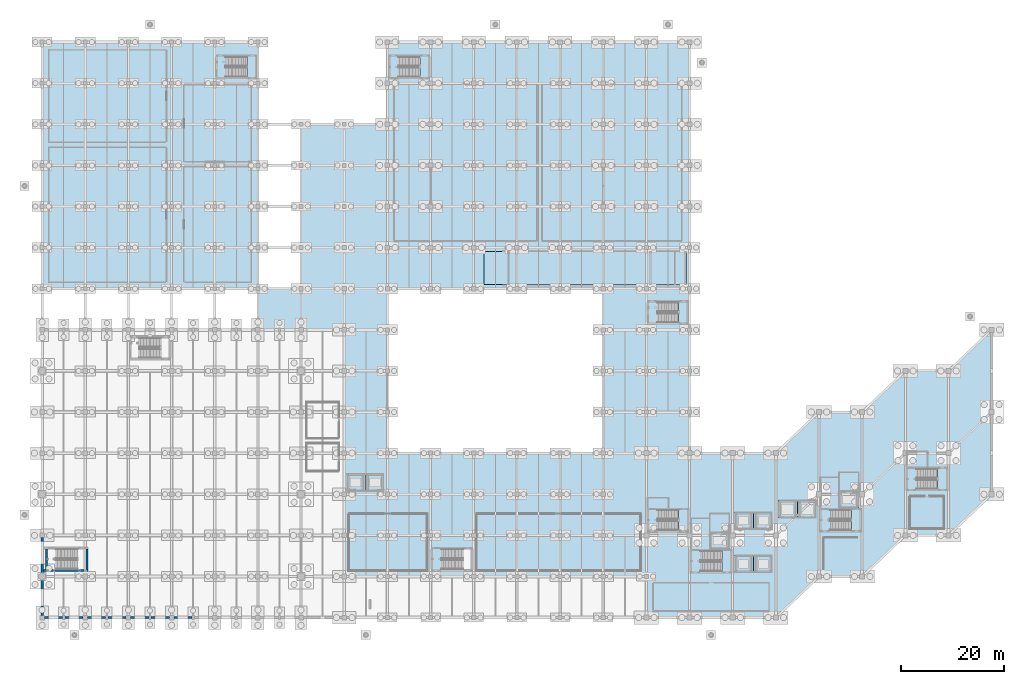
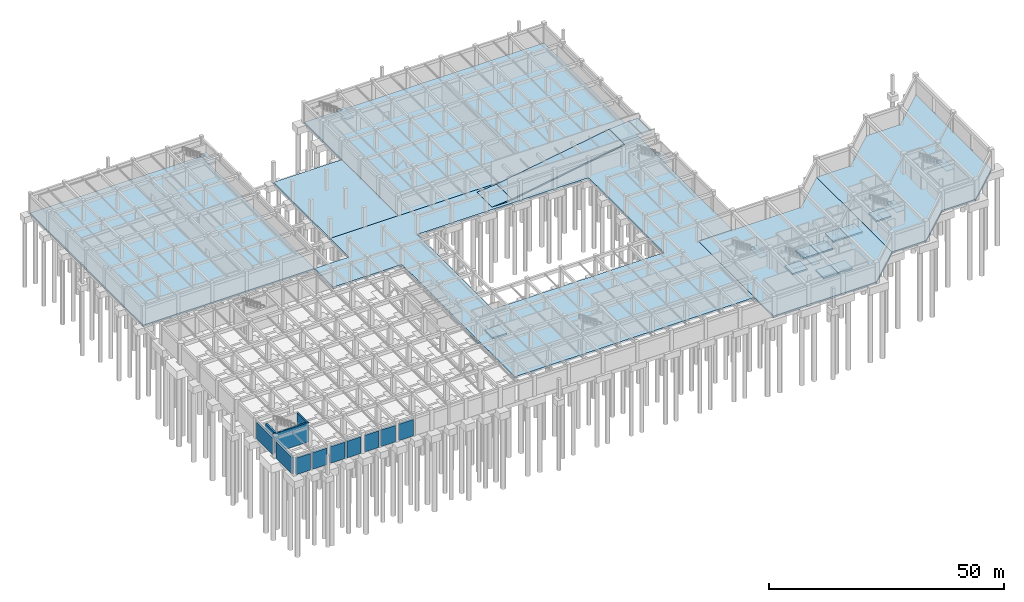
# One storey, part 35 of 56: 27 slabs, 12 walls, 7 elements without a shape of their own.
"""IFC4 building model written with IfcOpenShell, lengths in metres."""

import ifcopenshell
import ifcopenshell.guid

model = None  # the IFC model being written
_history = None  # IfcOwnerHistory: only IFC2X3 demands one
_inside = {}  # id of a spatial element -> (the spatial element, [elements in it])
_under = {}  # id of a project, library or spatial element -> (it, [spatial elements below it])
_declared = {}  # id of a project -> (the project, [libraries it declares])
_typed = {}  # id of a type object -> (the type object, [elements of that type])
_made_of = {}  # id of a material, layer set ... -> (it, [elements and type objects made of it])


def new_model(schema):
    """Start an empty IFC model of exactly this schema.

    Asked for "IFC4X3", IfcOpenShell would pick the latest addendum, in which some entities
    have other attributes; the version numbers below select the first issue.
    IFC2X3 requires an IfcOwnerHistory on every rooted entity: one is made here for all.
    """
    global model, _history
    if schema == "IFC4X3":
        model = ifcopenshell.file(schema_version=(4, 3, 0, 0))
    else:
        model = ifcopenshell.file(schema=schema)
    _inside.clear()
    _under.clear()
    _declared.clear()
    _typed.clear()
    _made_of.clear()
    _history = None
    if model.schema == "IFC2X3":
        org = make("IfcOrganization", Name="unknown")
        user = make(
            "IfcPersonAndOrganization",
            ThePerson=make("IfcPerson", FamilyName="unknown"),
            TheOrganization=org,
        )
        app = make(
            "IfcApplication",
            ApplicationDeveloper=org,
            Version="unknown",
            ApplicationFullName="unknown",
            ApplicationIdentifier="unknown",
        )
        _history = make(
            "IfcOwnerHistory",
            OwningUser=user,
            OwningApplication=app,
            ChangeAction="ADDED",
            CreationDate=0,
        )
    return model


def make(cls, **values):
    """One entity of the class cls with the attributes given. An attribute that is None is left unset."""
    return model.create_entity(
        cls, **{name: value for name, value in values.items() if value is not None}
    )


def rooted(cls, **values):
    """An entity with a GlobalId (a new one), such as an element, a storey or a relation."""
    return make(cls, GlobalId=ifcopenshell.guid.new(), OwnerHistory=_history, **values)


def si_unit(unit_type, name, prefix=None):
    """IfcSIUnit, for example si_unit("LENGTHUNIT", "METRE", prefix="MILLI")."""
    return make("IfcSIUnit", UnitType=unit_type, Prefix=prefix, Name=name)


def assignment(units):
    """IfcUnitAssignment: the units of a project."""
    return None if units is None else make("IfcUnitAssignment", Units=units)


def point(xyz):
    """IfcCartesianPoint."""
    return None if xyz is None else make("IfcCartesianPoint", Coordinates=xyz)


def direction(xyz):
    """IfcDirection."""
    return None if xyz is None else make("IfcDirection", DirectionRatios=xyz)


def frame(location, z_axis=None, x_axis=None):
    """IfcAxis2Placement3D, a coordinate frame: its origin and axes. An axis left out is left unset."""
    return make(
        "IfcAxis2Placement3D",
        Location=point(location),
        Axis=direction(z_axis),
        RefDirection=direction(x_axis),
    )


def frame_2d(location, x_axis=None):
    """IfcAxis2Placement2D, a coordinate frame in the plane: its origin and x axis."""
    return make(
        "IfcAxis2Placement2D", Location=point(location), RefDirection=direction(x_axis)
    )


def origin():
    """The frame at (0, 0, 0) with its axes left unset."""
    return frame((0.0, 0.0, 0.0))


def place(relative_to, where):
    """IfcLocalPlacement: puts the frame where relative to a parent placement (None: the world)."""
    return make(
        "IfcLocalPlacement", PlacementRelTo=relative_to, RelativePlacement=where
    )


def context(
    kind, dimensions, precision=None, world=None, true_north=None, identifier=None
):
    """IfcGeometricRepresentationContext, for example the 3D "Model" context."""
    return make(
        "IfcGeometricRepresentationContext",
        ContextIdentifier=identifier,
        ContextType=kind,
        CoordinateSpaceDimension=dimensions,
        Precision=precision,
        WorldCoordinateSystem=world,
        TrueNorth=true_north,
    )


def subcontext(parent, identifier, kind, view, scale=None):
    """IfcGeometricRepresentationSubContext, for example "Body" below "Model"."""
    return make(
        "IfcGeometricRepresentationSubContext",
        ContextIdentifier=identifier,
        ContextType=kind,
        ParentContext=parent,
        TargetScale=scale,
        TargetView=view,
    )


def project(units=None, contexts=None):
    """IfcProject with its units and contexts."""
    return rooted(
        "IfcProject",
        Name="project",
        RepresentationContexts=contexts,
        UnitsInContext=assignment(units),
    )


def spatial(cls, under=None, at=None, **own):
    """A site, building, storey or space (cls), placed at a placement, below another one or the project."""
    s = rooted(cls, ObjectPlacement=at, **own)
    if under is not None:
        _under.setdefault(under.id(), (under, []))[1].append(s)
    return s


def polyline(points):
    """IfcPolyline through the points."""
    return make("IfcPolyline", Points=[point(p) for p in points])


def profile(cls, at=None, kind="AREA", **sizes):
    """A parametric profile (cls). Its sizes go by their IFC names, for example OverallWidth=200.0."""
    return make(cls, ProfileType=kind, Position=at, **sizes)


def rectangle(**sizes):
    """IfcRectangleProfileDef."""
    return profile("IfcRectangleProfileDef", **sizes)


def outline(outer, holes=None, kind="AREA"):
    """IfcArbitraryClosedProfileDef: a profile drawn as a closed curve; with holes, ...WithVoids."""
    if holes is None:
        return make("IfcArbitraryClosedProfileDef", ProfileType=kind, OuterCurve=outer)
    return make(
        "IfcArbitraryProfileDefWithVoids",
        ProfileType=kind,
        OuterCurve=outer,
        InnerCurves=holes,
    )


def extrude(swept, where, along, depth):
    """IfcExtrudedAreaSolid: the profile swept, set in the frame where, extruded along a direction by depth."""
    return make(
        "IfcExtrudedAreaSolid",
        SweptArea=swept,
        Position=where,
        ExtrudedDirection=direction(along),
        Depth=depth,
    )


def shape(context_of_items, identifier, shape_type, items):
    """IfcShapeRepresentation: the items that make up one representation, for example the "Body"."""
    return make(
        "IfcShapeRepresentation",
        ContextOfItems=context_of_items,
        RepresentationIdentifier=identifier,
        RepresentationType=shape_type,
        Items=items,
    )


def material(Name=None, Category=None):
    """IfcMaterial."""
    return make("IfcMaterial", Name=Name, Category=Category)


def layer(
    of_material, thickness, ventilated=None, Name=None, Category=None, Priority=None
):
    """IfcMaterialLayer: one layer of a wall or slab, of a material (None: an air gap)."""
    return make(
        "IfcMaterialLayer",
        Material=of_material,
        LayerThickness=thickness,
        IsVentilated=ventilated,
        Name=Name,
        Category=Category,
        Priority=Priority,
    )


def layer_set(layers, Name=None):
    """IfcMaterialLayerSet."""
    return make("IfcMaterialLayerSet", MaterialLayers=layers, LayerSetName=Name)


def made_of(thing, what):
    """Note that an element or type object is made of a material, layer set ...; save() writes the relation."""
    if what is not None:
        _made_of.setdefault(what.id(), (what, []))[1].append(thing)
    return thing


def type_object(cls, material=None, **own):
    """A type object (cls), such as IfcWallType, which elements share."""
    return made_of(rooted(cls, **own), material)


def element(
    cls,
    number,
    at=None,
    inside=None,
    cuts=None,
    type_object=None,
    material=None,
    context=None,
    identifier="Body",
    shape_type=None,
    held_by="IfcProductDefinitionShape",
    body=None,
    shapes=None,
    **own,
):
    """One element of the class cls, such as IfcWall. Its Tag is "e" and its number.

    at: its placement. inside: the storey or other place that contains it. cuts: it is an
    opening in that element (IfcRelVoidsElement). A single representation is given by context,
    identifier, shape_type and body (its items); several are given by shapes. held_by: the class
    of the entity that holds the representations. save() writes the other relations.
    """
    e = rooted(cls, Tag="e%d" % number, ObjectPlacement=at, **own)
    if body is not None:
        shapes = [shape(context, identifier, shape_type, body)]
    if shapes is not None:
        e.Representation = make(held_by, Representations=shapes)
    if inside is not None:
        _inside.setdefault(inside.id(), (inside, []))[1].append(e)
    if cuts is not None:
        rooted(
            "IfcRelVoidsElement", RelatingBuildingElement=cuts, RelatedOpeningElement=e
        )
    if type_object is not None:
        _typed.setdefault(type_object.id(), (type_object, []))[1].append(e)
    return made_of(e, material)


def aggregate(whole, parts):
    """IfcRelAggregates: a whole, such as a stair, and the parts it consists of."""
    return rooted("IfcRelAggregates", RelatingObject=whole, RelatedObjects=parts)


def save(model, path):
    """Write the relations noted so far, then the file.

    IfcRelAggregates (storeys below a building ...), IfcRelContainedInSpatialStructure (elements
    in a storey), IfcRelDefinesByType, IfcRelAssociatesMaterial and IfcRelDeclares: one each for
    every whole, place, type object, material and project.
    """
    for whole, parts in _under.values():
        aggregate(whole, parts)
    for where, things in _inside.values():
        rooted(
            "IfcRelContainedInSpatialStructure",
            RelatedElements=things,
            RelatingStructure=where,
        )
    for kind, things in _typed.values():
        rooted("IfcRelDefinesByType", RelatedObjects=things, RelatingType=kind)
    for what, things in _made_of.values():
        rooted("IfcRelAssociatesMaterial", RelatedObjects=things, RelatingMaterial=what)
    for by, libraries in _declared.values():
        rooted("IfcRelDeclares", RelatingContext=by, RelatedDefinitions=libraries)
    model.write(path)


model = new_model("IFC4")

# Units and contexts
model_context = context("Model", 3, precision=1e-05, world=origin(), true_north=direction((0.0, 1.0)))
body_context = subcontext(model_context, "Body", "Model", "MODEL_VIEW")
ifc_project = project(units=[si_unit("LENGTHUNIT", "METRE"), si_unit("AREAUNIT", "SQUARE_METRE"), si_unit("VOLUMEUNIT", "CUBIC_METRE"), si_unit("PLANEANGLEUNIT", "RADIAN"), si_unit("MASSUNIT", "GRAM", prefix="KILO")], contexts=[model_context])

# Site, building, storey
site_placement = place(None, origin())
site = spatial("IfcSite", under=ifc_project, at=site_placement, CompositionType="ELEMENT")
building_placement = place(site_placement, origin())
building = spatial("IfcBuilding", under=site, at=building_placement, Name="Naruveol Harbour Congress Hotel", CompositionType="ELEMENT")
storey_placement = place(building_placement, frame((0.0, 0.0, -5.39990234375)))
storey = spatial("IfcBuildingStorey", under=building, at=storey_placement, Name="B01", CompositionType="ELEMENT", Elevation=-5.39990234375)

# Slabs
ifc_material_1 = material(Name="Concrete C40/50", Category="concrete")
ifc_layer_1 = layer(ifc_material_1, 0.5)
ifc_layer_set_1 = layer_set([ifc_layer_1], Name="Concrete C40/50")
slab_type_1 = type_object("IfcSlabType", Name="RC BASEMENT MAT SLAB 500", PredefinedType="BASESLAB", material=ifc_layer_set_1)
slab_1_placement = place(storey_placement, frame((0.0, 0.0, -0.5)))
element("IfcSlab", 1, at=slab_1_placement, inside=storey, type_object=slab_type_1, Name="Basement B01 Spa mat slab", PredefinedType="BASESLAB", context=body_context, shape_type="SweptSolid", body=[
    extrude(outline(polyline([(0.0, 64.0), (42.0, 64.0), (42.0, 112.0), (0.0, 112.0), (0.0, 64.0)])), origin(), (0.0, 0.0, 1.0), 0.5),
])
slab_2_placement = place(storey_placement, frame((0.0, 0.0, -0.5)))
element("IfcSlab", 2, at=slab_2_placement, inside=storey, type_object=slab_type_1, Name="Basement B01 Ballroom mat slab", PredefinedType="BASESLAB", context=body_context, shape_type="SweptSolid", body=[
    extrude(outline(polyline([(67.199951171875, 72.0), (126.0, 72.0), (126.0, 112.0), (67.199951171875, 112.0), (67.199951171875, 72.0)])), origin(), (0.0, 0.0, 1.0), 0.5),
])
slab_3_placement = place(storey_placement, frame((0.0, 0.0, -0.5)))
element("IfcSlab", 3, at=slab_3_placement, inside=storey, type_object=slab_type_1, Name="Basement B01 Courtyard wing mat slab", PredefinedType="BASESLAB", context=body_context, shape_type="SweptSolid", body=[
    extrude(outline(polyline([(58.800048828125, 8.0), (117.60009765625, 8.0), (117.60009765625, 32.0), (126.0, 32.0), (126.0, 72.0), (50.39990234375, 72.0), (50.39990234375, 64.0), (42.0, 64.0), (42.0, 56.0), (58.800048828125, 56.0), (58.800048828125, 8.0)]), holes=[polyline([(67.199951171875, 32.0), (109.199951171875, 32.0), (109.199951171875, 64.0), (67.199951171875, 64.0), (67.199951171875, 32.0)])]), origin(), (0.0, 0.0, 1.0), 0.5),
])
slab_4_placement = place(storey_placement, frame((0.0, 0.0, -0.5)))
element("IfcSlab", 4, at=slab_4_placement, inside=storey, type_object=slab_type_1, Name="Basement B01 Hotel west mat slab", PredefinedType="BASESLAB", context=body_context, shape_type="SweptSolid", body=[
    extrude(outline(polyline([(117.60009765625, 0.0), (126.0, 0.0), (134.39990234375, 0.0), (142.800048828125, 0.0), (151.199951171875, 8.0), (151.199951171875, 40.0), (142.800048828125, 32.0), (134.39990234375, 32.0), (126.0, 32.0), (117.60009765625, 32.0), (117.60009765625, 0.0)])), origin(), (0.0, 0.0, 1.0), 0.5),
])
slab_5_placement = place(storey_placement, frame((0.0, 0.0, -0.5)))
element("IfcSlab", 5, at=slab_5_placement, inside=storey, type_object=slab_type_1, Name="Basement B01 Hotel east mat slab", PredefinedType="BASESLAB", context=body_context, shape_type="SweptSolid", body=[
    extrude(outline(polyline([(151.199951171875, 8.0), (159.60009765625, 8.0), (168.0, 16.0), (176.39990234375, 16.0), (184.800048828125, 24.0), (184.800048828125, 56.0), (176.39990234375, 48.0), (168.0, 48.0), (159.60009765625, 40.0), (151.199951171875, 40.0), (151.199951171875, 8.0)])), origin(), (0.0, 0.0, 1.0), 0.5),
])
slab_6_placement = place(storey_placement, frame((0.0, 0.0, -0.5)))
element("IfcSlab", 6, at=slab_6_placement, inside=storey, type_object=slab_type_1, Name="Basement B01 Forecourt mat slab", PredefinedType="BASESLAB", context=body_context, shape_type="SweptSolid", body=[
    extrude(outline(polyline([(50.39990234375, 72.0), (67.199951171875, 72.0), (67.199951171875, 96.0), (50.39990234375, 96.0), (50.39990234375, 72.0)])), origin(), (0.0, 0.0, 1.0), 0.5),
])
ifc_material_2 = material(Name="Concrete C40/50", Category="concrete")
ifc_layer_2 = layer(ifc_material_2, 0.39990234375)
ifc_layer_set_2 = layer_set([ifc_layer_2], Name="Concrete C40/50")
slab_type_2 = type_object("IfcSlabType", Name="RC PROMENADE PLINTH SLAB 400", PredefinedType="BASESLAB", material=ifc_layer_set_2)
slab_7_placement = place(storey_placement, frame((0.0, 0.0, -1.800048828125)))
element("IfcSlab", 7, at=slab_7_placement, inside=storey, type_object=slab_type_2, Name="Lift pit base slab PL1", PredefinedType="BASESLAB", context=body_context, shape_type="SweptSolid", body=[
    extrude(outline(polyline([(134.85009765625, 17.14990234375), (138.449951171875, 17.14990234375), (138.449951171875, 20.550048828125), (134.85009765625, 20.550048828125), (134.85009765625, 17.14990234375)])), origin(), (0.0, 0.0, 1.0), 0.39990234375),
])
slab_8_placement = place(storey_placement, frame((0.0, 0.0, -1.800048828125)))
element("IfcSlab", 8, at=slab_8_placement, inside=storey, type_object=slab_type_2, Name="Lift pit base slab PL2", PredefinedType="BASESLAB", context=body_context, shape_type="SweptSolid", body=[
    extrude(outline(polyline([(138.449951171875, 17.14990234375), (142.050048828125, 17.14990234375), (142.050048828125, 20.550048828125), (138.449951171875, 20.550048828125), (138.449951171875, 17.14990234375)])), origin(), (0.0, 0.0, 1.0), 0.39990234375),
])
slab_9_placement = place(storey_placement, frame((0.0, 0.0, -1.800048828125)))
element("IfcSlab", 9, at=slab_9_placement, inside=storey, type_object=slab_type_2, Name="Lift pit base slab PL3", PredefinedType="BASESLAB", context=body_context, shape_type="SweptSolid", body=[
    extrude(outline(polyline([(134.85009765625, 8.75), (138.449951171875, 8.75), (138.449951171875, 12.14990234375), (134.85009765625, 12.14990234375), (134.85009765625, 8.75)])), origin(), (0.0, 0.0, 1.0), 0.39990234375),
])
slab_10_placement = place(storey_placement, frame((0.0, 0.0, -1.800048828125)))
element("IfcSlab", 10, at=slab_10_placement, inside=storey, type_object=slab_type_2, Name="Lift pit base slab PL4", PredefinedType="BASESLAB", context=body_context, shape_type="SweptSolid", body=[
    extrude(outline(polyline([(138.449951171875, 8.75), (142.050048828125, 8.75), (142.050048828125, 12.14990234375), (138.449951171875, 12.14990234375), (138.449951171875, 8.75)])), origin(), (0.0, 0.0, 1.0), 0.39990234375),
])
slab_11_placement = place(storey_placement, frame((0.0, 0.0, -1.800048828125)))
element("IfcSlab", 11, at=slab_11_placement, inside=storey, type_object=slab_type_2, Name="Lift pit base slab FL1", PredefinedType="BASESLAB", context=body_context, shape_type="SweptSolid", body=[
    extrude(outline(polyline([(129.949951171875, 13.300048828125), (133.64990234375, 13.300048828125), (133.64990234375, 16.699951171875), (129.949951171875, 16.699951171875), (129.949951171875, 13.300048828125)])), origin(), (0.0, 0.0, 1.0), 0.39990234375),
])
slab_12_placement = place(storey_placement, frame((0.0, 0.0, -1.800048828125)))
element("IfcSlab", 12, at=slab_12_placement, inside=storey, type_object=slab_type_2, Name="Lift pit base slab FL2", PredefinedType="BASESLAB", context=body_context, shape_type="SweptSolid", body=[
    extrude(outline(polyline([(155.14990234375, 21.300048828125), (158.85009765625, 21.300048828125), (158.85009765625, 24.699951171875), (155.14990234375, 24.699951171875), (155.14990234375, 21.300048828125)])), origin(), (0.0, 0.0, 1.0), 0.39990234375),
])
slab_13_placement = place(storey_placement, frame((0.0, 0.0, -1.800048828125)))
element("IfcSlab", 13, at=slab_13_placement, inside=storey, type_object=slab_type_2, Name="Lift pit base slab CL1", PredefinedType="BASESLAB", context=body_context, shape_type="SweptSolid", body=[
    extrude(outline(polyline([(59.35009765625, 24.550048828125), (62.89990234375, 24.550048828125), (62.89990234375, 28.050048828125), (59.35009765625, 28.050048828125), (59.35009765625, 24.550048828125)])), origin(), (0.0, 0.0, 1.0), 0.39990234375),
])
slab_14_placement = place(storey_placement, frame((0.0, 0.0, -1.800048828125)))
element("IfcSlab", 14, at=slab_14_placement, inside=storey, type_object=slab_type_2, Name="Lift pit base slab CL2", PredefinedType="BASESLAB", context=body_context, shape_type="SweptSolid", body=[
    extrude(outline(polyline([(62.89990234375, 24.550048828125), (66.449951171875, 24.550048828125), (66.449951171875, 28.050048828125), (62.89990234375, 28.050048828125), (62.89990234375, 24.550048828125)])), origin(), (0.0, 0.0, 1.0), 0.39990234375),
])
slab_15_placement = place(storey_placement, frame((0.0, 0.0, -1.800048828125)))
element("IfcSlab", 15, at=slab_15_placement, inside=storey, type_object=slab_type_2, Name="Lift pit base slab GL1", PredefinedType="BASESLAB", context=body_context, shape_type="SweptSolid", body=[
    extrude(outline(polyline([(143.35009765625, 19.35009765625), (147.0, 19.35009765625), (147.0, 22.85009765625), (143.35009765625, 22.85009765625), (143.35009765625, 19.35009765625)])), origin(), (0.0, 0.0, 1.0), 0.39990234375),
])
slab_16_placement = place(storey_placement, frame((0.0, 0.0, -1.800048828125)))
element("IfcSlab", 16, at=slab_16_placement, inside=storey, type_object=slab_type_2, Name="Lift pit base slab GL2", PredefinedType="BASESLAB", context=body_context, shape_type="SweptSolid", body=[
    extrude(outline(polyline([(147.0, 19.35009765625), (150.64990234375, 19.35009765625), (150.64990234375, 22.85009765625), (147.0, 22.85009765625), (147.0, 19.35009765625)])), origin(), (0.0, 0.0, 1.0), 0.39990234375),
])
ifc_material_3 = material(Name="Concrete C40/50", Category="concrete")
ifc_layer_3 = layer(ifc_material_3, 0.199951171875)
ifc_layer_set_3 = layer_set([ifc_layer_3], Name="Concrete C40/50")
slab_type_3 = type_object("IfcSlabType", Name="RC RAMP LANDING SLAB 200", PredefinedType="LANDING", material=ifc_layer_set_3)
slab_17_placement = place(storey_placement, frame((0.0, 0.0, 5.199951171875)))
element("IfcSlab", 17, at=slab_17_placement, inside=storey, type_object=slab_type_3, Name="Car park vehicle ramp VR-1 grade arrival landing", PredefinedType="LANDING", context=body_context, shape_type="SweptSolid", body=[
    extrude(outline(polyline([(123.199951171875, 64.800048828125), (125.3798828125, 64.800048828125), (125.3798828125, 71.199951171875), (123.199951171875, 71.199951171875), (123.199951171875, 64.800048828125)])), origin(), (0.0, 0.0, 1.0), 0.199951171875),
])

# Stair, slab
ifc_material_4 = material(Name="Concrete C40/50", Category="concrete")
stair_type = type_object("IfcStairType", Name="RC DOG LEG ESCAPE STAIR 1800W H5400", PredefinedType="HALF_TURN_STAIR", material=ifc_material_4)
stair_1_placement = place(storey_placement, origin())
stair_1 = element("IfcStair", 18, at=stair_1_placement, inside=storey, type_object=stair_type, Name="Special Escape Stair ST1 B01 to L00", PredefinedType="HALF_TURN_STAIR")
ifc_material_5 = material(Name="Concrete C40/50", Category="concrete")
ifc_layer_4 = layer(ifc_material_5, 0.179931640625)
ifc_layer_set_4 = layer_set([ifc_layer_4], Name="Concrete C40/50")
slab_type_4 = type_object("IfcSlabType", Name="RC STAIR HALF LANDING SLAB 180", PredefinedType="LANDING", material=ifc_layer_set_4)
slab_18_placement = place(storey_placement, frame((0.0, 0.0, 2.52001953125)))
slab_18 = element("IfcSlab", 19, at=slab_18_placement, type_object=slab_type_4, Name="ST1 B01 half landing", PredefinedType="LANDING", context=body_context, shape_type="SweptSolid", body=[
    extrude(outline(polyline([(132.300048828125, 8.800048828125), (134.10009765625, 8.800048828125), (134.10009765625, 13.159912109375), (132.300048828125, 13.159912109375), (132.300048828125, 8.800048828125)])), origin(), (0.0, 0.0, 1.0), 0.179931640625),
])
aggregate(stair_1, [slab_18])

stair_2_placement = place(storey_placement, origin())
stair_2 = element("IfcStair", 20, at=stair_2_placement, inside=storey, type_object=stair_type, Name="Special Escape Stair ST2 B01 to L00", PredefinedType="HALF_TURN_STAIR")
slab_19_placement = place(storey_placement, frame((0.0, 0.0, 2.52001953125)))
slab_19 = element("IfcSlab", 21, at=slab_19_placement, type_object=slab_type_4, Name="ST2 B01 half landing", PredefinedType="LANDING", context=body_context, shape_type="SweptSolid", body=[
    extrude(outline(polyline([(157.5, 16.800048828125), (159.300048828125, 16.800048828125), (159.300048828125, 21.159912109375), (157.5, 21.159912109375), (157.5, 16.800048828125)])), origin(), (0.0, 0.0, 1.0), 0.179931640625),
])
aggregate(stair_2, [slab_19])

stair_3_placement = place(storey_placement, origin())
stair_3 = element("IfcStair", 22, at=stair_3_placement, inside=storey, type_object=stair_type, Name="Special Escape Stair ST3 B01 to L00", PredefinedType="HALF_TURN_STAIR")
slab_20_placement = place(storey_placement, frame((0.0, 0.0, 2.52001953125)))
slab_20 = element("IfcSlab", 23, at=slab_20_placement, type_object=slab_type_4, Name="ST3 B01 half landing", PredefinedType="LANDING", context=body_context, shape_type="SweptSolid", body=[
    extrude(outline(polyline([(123.89990234375, 16.800048828125), (125.699951171875, 16.800048828125), (125.699951171875, 21.159912109375), (123.89990234375, 21.159912109375), (123.89990234375, 16.800048828125)])), origin(), (0.0, 0.0, 1.0), 0.179931640625),
])
aggregate(stair_3, [slab_20])

stair_4_placement = place(storey_placement, origin())
stair_4 = element("IfcStair", 24, at=stair_4_placement, inside=storey, type_object=stair_type, Name="Special Escape Stair ST4 B01 to L00", PredefinedType="HALF_TURN_STAIR")
slab_21_placement = place(storey_placement, frame((0.0, 0.0, 2.52001953125)))
slab_21 = element("IfcSlab", 25, at=slab_21_placement, type_object=slab_type_4, Name="ST4 B01 half landing", PredefinedType="LANDING", context=body_context, shape_type="SweptSolid", body=[
    extrude(outline(polyline([(174.300048828125, 24.800048828125), (176.10009765625, 24.800048828125), (176.10009765625, 29.159912109375), (174.300048828125, 29.159912109375), (174.300048828125, 24.800048828125)])), origin(), (0.0, 0.0, 1.0), 0.179931640625),
])
aggregate(stair_4, [slab_21])

stair_5_placement = place(storey_placement, origin())
stair_5 = element("IfcStair", 26, at=stair_5_placement, inside=storey, type_object=stair_type, Name="Thermal Spa Exit Stair ST7 B01 to L00", PredefinedType="HALF_TURN_STAIR")
slab_22_placement = place(storey_placement, frame((0.0, 0.0, 2.52001953125)))
slab_22 = element("IfcSlab", 27, at=slab_22_placement, type_object=slab_type_4, Name="ST7 B01 half landing", PredefinedType="LANDING", context=body_context, shape_type="SweptSolid", body=[
    extrude(outline(polyline([(39.89990234375, 105.0), (41.699951171875, 105.0), (41.699951171875, 109.360107421875), (39.89990234375, 109.360107421875), (39.89990234375, 105.0)])), origin(), (0.0, 0.0, 1.0), 0.179931640625),
])
aggregate(stair_5, [slab_22])

stair_6_placement = place(storey_placement, origin())
stair_6 = element("IfcStair", 28, at=stair_6_placement, inside=storey, type_object=stair_type, Name="Ballroom West Exit Stair ST8 B01 to L00", PredefinedType="HALF_TURN_STAIR")
slab_23_placement = place(storey_placement, frame((0.0, 0.0, 2.52001953125)))
slab_23 = element("IfcSlab", 29, at=slab_23_placement, type_object=slab_type_4, Name="ST8 B01 half landing", PredefinedType="LANDING", context=body_context, shape_type="SweptSolid", body=[
    extrude(outline(polyline([(73.5, 105.0), (75.300048828125, 105.0), (75.300048828125, 109.360107421875), (73.5, 109.360107421875), (73.5, 105.0)])), origin(), (0.0, 0.0, 1.0), 0.179931640625),
])
aggregate(stair_6, [slab_23])

stair_7_placement = place(storey_placement, origin())
stair_7 = element("IfcStair", 30, at=stair_7_placement, inside=storey, type_object=stair_type, Name="Courtyard North-East Exit Stair ST9 B01 to L00", PredefinedType="HALF_TURN_STAIR")
slab_24_placement = place(storey_placement, frame((0.0, 0.0, 2.52001953125)))
slab_24 = element("IfcSlab", 31, at=slab_24_placement, type_object=slab_type_4, Name="ST9 B01 half landing", PredefinedType="LANDING", context=body_context, shape_type="SweptSolid", body=[
    extrude(outline(polyline([(123.89990234375, 57.199951171875), (125.699951171875, 57.199951171875), (125.699951171875, 61.56005859375), (123.89990234375, 61.56005859375), (123.89990234375, 57.199951171875)])), origin(), (0.0, 0.0, 1.0), 0.179931640625),
])
aggregate(stair_7, [slab_24])

# Slabs
ifc_material_6 = material(Name="Concrete C40/50", Category="concrete")
ifc_layer_5 = layer(ifc_material_6, 0.300048828125)
ifc_layer_set_5 = layer_set([ifc_layer_5], Name="Concrete C40/50")
slab_type_5 = type_object("IfcSlabType", Name="RC VEHICLE RAMP SLAB 300", PredefinedType="USERDEFINED", material=ifc_layer_set_5)
slab_25_placement = place(storey_placement, frame((86.0, 64.800048828125, 0.0), z_axis=(-0.083024506106, 0.0, 0.996547505835), x_axis=(0.996547505835, 0.0, 0.083024506106)))
element("IfcSlab", 32, at=slab_25_placement, inside=storey, type_object=slab_type_5, Name="Car park vehicle ramp VR-1 bottom transition", ObjectType="VEHICLE RAMP SLAB", PredefinedType="USERDEFINED", context=body_context, shape_type="SweptSolid", body=[
    extrude(outline(polyline([(0.0, 0.0), (4.816678382134407, 0.0), (4.816678382134407, 6.39990234375), (0.0, 6.39990234375), (0.0, 0.0)])), origin(), (0.0, 0.0, -1.0), 0.300048828125),
])
slab_26_placement = place(storey_placement, frame((90.800048828125, 64.800048828125, 0.39990234375), z_axis=(-0.164403232074, 0.0, 0.986393216361), x_axis=(0.986393216361, 0.0, 0.164403232074)))
element("IfcSlab", 33, at=slab_26_placement, inside=storey, type_object=slab_type_5, Name="Car park vehicle ramp VR-1 main flight", ObjectType="VEHICLE RAMP SLAB", PredefinedType="USERDEFINED", context=body_context, shape_type="SweptSolid", body=[
    extrude(outline(polyline([(0.0, 0.0), (27.980579202922062, 0.0), (27.980579202922062, 6.39990234375), (0.0, 6.39990234375), (0.0, 0.0)])), origin(), (0.0, 0.0, -1.0), 0.300048828125),
])
slab_27_placement = place(storey_placement, frame((118.39990234375, 64.800048828125, 5.0), z_axis=(-0.083024506106, 0.0, 0.996547505835), x_axis=(0.996547505835, 0.0, 0.083024506106)))
element("IfcSlab", 34, at=slab_27_placement, inside=storey, type_object=slab_type_5, Name="Car park vehicle ramp VR-1 top transition", ObjectType="VEHICLE RAMP SLAB", PredefinedType="USERDEFINED", context=body_context, shape_type="SweptSolid", body=[
    extrude(outline(polyline([(0.0, 0.0), (4.816678382134407, 0.0), (4.816678382134407, 6.39990234375), (0.0, 6.39990234375), (0.0, 0.0)])), origin(), (0.0, 0.0, -1.0), 0.300048828125),
])

# Walls
ifc_material_7 = material(Name="Concrete C40/50", Category="concrete")
ifc_layer_6 = layer(ifc_material_7, 0.449951171875)
ifc_layer_set_6 = layer_set([ifc_layer_6], Name="Concrete C40/50")
wall_type_1 = type_object("IfcWallType", Name="RC BASEMENT RETAINING WALL 450", PredefinedType="USERDEFINED", material=ifc_layer_set_6)
wall_1_placement = place(storey_placement, frame((29.175048828125, 0.0, 0.0), z_axis=(0.0, 0.0, 1.0), x_axis=(-1.0, 0.0, 0.0)))
element("IfcWall", 35, at=wall_1_placement, inside=storey, type_object=wall_type_1, Name="Basement south retaining wall RW-450", ObjectType="RETAININGWALL", PredefinedType="USERDEFINED", context=body_context, shape_type="SweptSolid", body=[
    extrude(rectangle(XDim=3.525146484375, YDim=0.449951171875, at=frame_2d((1.7626953125, 0.0))), origin(), (0.0, 0.0, 1.0), 4.2998046875),
])
for number, where, z_axis, x_axis, name in (
    (36, (24.75, 0.0, 0.0), (0.0, 0.0, 1.0), (-1.0, 0.0, 0.0), "Basement south retaining wall RW-450"),
    (37, (20.77490234375, 0.0, 0.0), (0.0, 0.0, 1.0), (-1.0, 0.0, 0.0), "Basement south retaining wall RW-450"),
):
    element("IfcWall", number, at=place(storey_placement, frame(where, z_axis=z_axis, x_axis=x_axis)), inside=storey, type_object=wall_type_1, Name=name, ObjectType="RETAININGWALL", PredefinedType="USERDEFINED", context=body_context, shape_type="SweptSolid", body=[
        extrude(rectangle(XDim=3.52490234375, YDim=0.449951171875, at=frame_2d((1.762451171875, 0.0))), origin(), (0.0, 0.0, 1.0), 4.2998046875),
    ])
wall_2_placement = place(storey_placement, frame((16.35009765625, 0.0, 0.0), z_axis=(0.0, 0.0, 1.0), x_axis=(-1.0, 0.0, 0.0)))
element("IfcWall", 38, at=wall_2_placement, inside=storey, type_object=wall_type_1, Name="Basement south retaining wall RW-450", ObjectType="RETAININGWALL", PredefinedType="USERDEFINED", context=body_context, shape_type="SweptSolid", body=[
    extrude(rectangle(XDim=3.525146484375, YDim=0.449951171875, at=frame_2d((1.7626953125, 0.0))), origin(), (0.0, 0.0, 1.0), 4.2998046875),
])
for number, where, z_axis, x_axis, name in (
    (39, (12.375, 0.0, 0.0), (0.0, 0.0, 1.0), (-1.0, 0.0, 0.0), "Basement south retaining wall RW-450"),
    (40, (7.949951171875, 0.0, 0.0), (0.0, 0.0, 1.0), (-1.0, 0.0, 0.0), "Basement south retaining wall RW-450"),
):
    element("IfcWall", number, at=place(storey_placement, frame(where, z_axis=z_axis, x_axis=x_axis)), inside=storey, type_object=wall_type_1, Name=name, ObjectType="RETAININGWALL", PredefinedType="USERDEFINED", context=body_context, shape_type="SweptSolid", body=[
        extrude(rectangle(XDim=3.52490234375, YDim=0.449951171875, at=frame_2d((1.762451171875, 0.0))), origin(), (0.0, 0.0, 1.0), 4.2998046875),
    ])
wall_3_placement = place(storey_placement, frame((3.97509765625, 0.0, 0.0), z_axis=(0.0, 0.0, 1.0), x_axis=(-1.0, 0.0, 0.0)))
element("IfcWall", 41, at=wall_3_placement, inside=storey, type_object=wall_type_1, Name="Basement south retaining wall RW-450", ObjectType="RETAININGWALL", PredefinedType="USERDEFINED", context=body_context, shape_type="SweptSolid", body=[
    extrude(rectangle(XDim=3.525146484375, YDim=0.449951171875, at=frame_2d((1.7626953125, 0.0))), origin(), (0.0, 0.0, 1.0), 4.2998046875),
])
for number, where, z_axis, x_axis, name in (
    (42, (0.0, 0.449951171875, 0.0), (0.0, 0.0, 1.0), (0.0, 1.0, 0.0), "Basement west retaining wall RW-450"),
    (43, (0.0, 8.699951171875, 0.0), (0.0, 0.0, 1.0), (0.0, 1.0, 0.0), "Basement west retaining wall RW-450"),
):
    element("IfcWall", number, at=place(storey_placement, frame(where, z_axis=z_axis, x_axis=x_axis)), inside=storey, type_object=wall_type_1, Name=name, ObjectType="RETAININGWALL", PredefinedType="USERDEFINED", context=body_context, shape_type="SweptSolid", body=[
        extrude(rectangle(XDim=6.85009765625, YDim=0.449951171875, at=frame_2d((3.425048828125, 0.0))), origin(), (0.0, 0.0, 1.0), 4.2998046875),
    ])
ifc_material_8 = material(Name="Concrete C50/60", Category="concrete")
ifc_layer_7 = layer(ifc_material_8, 0.39990234375)
ifc_layer_set_7 = layer_set([ifc_layer_7], Name="Concrete C50/60")
wall_type_2 = type_object("IfcWallType", Name="RC CORE SHEAR WALL 400 EI120", PredefinedType="SHEAR", material=ifc_layer_set_7)
wall_4_placement = place(storey_placement, frame((0.22509765625, 9.199951171875, 0.0), z_axis=(0.0, 0.0, 1.0), x_axis=(1.0, 0.0, 0.0)))
element("IfcWall", 44, at=wall_4_placement, inside=storey, type_object=wall_type_2, Name="Stair ST5 south core wall CW-400", PredefinedType="SHEAR", context=body_context, shape_type="SweptSolid", body=[
    extrude(rectangle(XDim=8.6748046875, YDim=0.39990234375, at=frame_2d((4.33740234375, 0.0))), origin(), (0.0, 0.0, 1.0), 4.994873046875),
])
for number, where, z_axis, x_axis, name in (
    (45, (8.699951171875, 9.405029296875, 0.0), (0.0, 0.0, 1.0), (0.0, 1.0, 0.0), "Stair ST5 east core wall CW-400"),
    (46, (0.89990234375, 9.405029296875, 0.0), (0.0, 0.0, 1.0), (0.0, 1.0, 0.0), "Stair ST5 west core wall CW-400"),
):
    element("IfcWall", number, at=place(storey_placement, frame(where, z_axis=z_axis, x_axis=x_axis)), inside=storey, type_object=wall_type_2, Name=name, PredefinedType="SHEAR", context=body_context, shape_type="SweptSolid", body=[
        extrude(rectangle(XDim=3.949951171875, YDim=0.39990234375, at=frame_2d((1.97509765625, 0.0))), origin(), (0.0, 0.0, 1.0), 4.994873046875),
    ])

save(model, "model.ifc")
